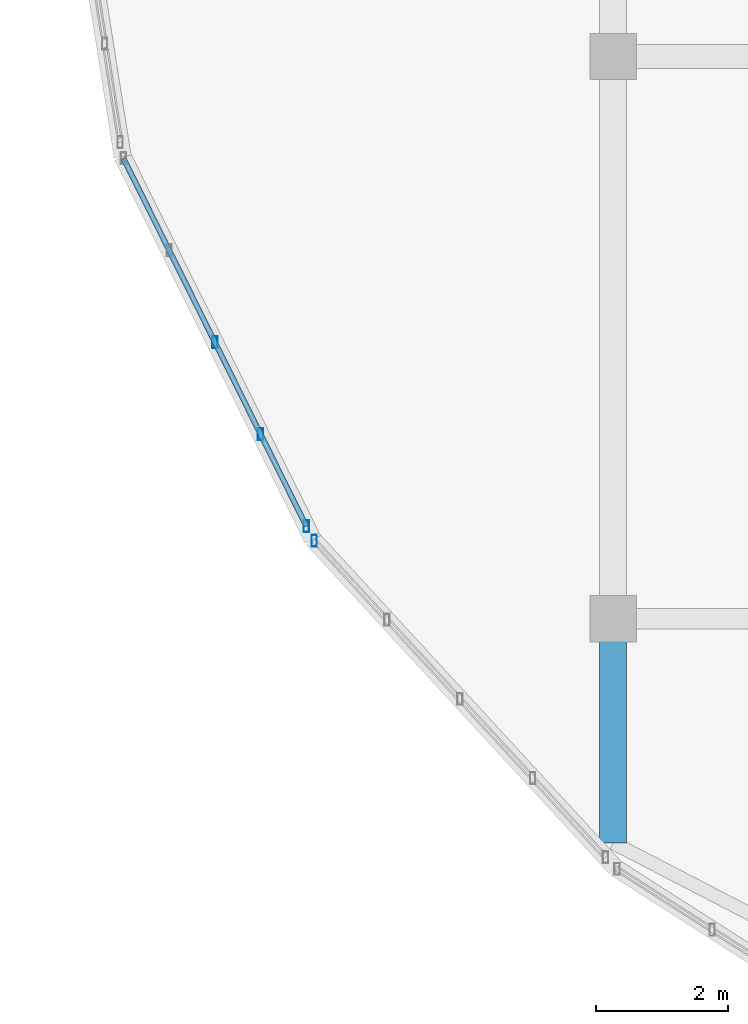
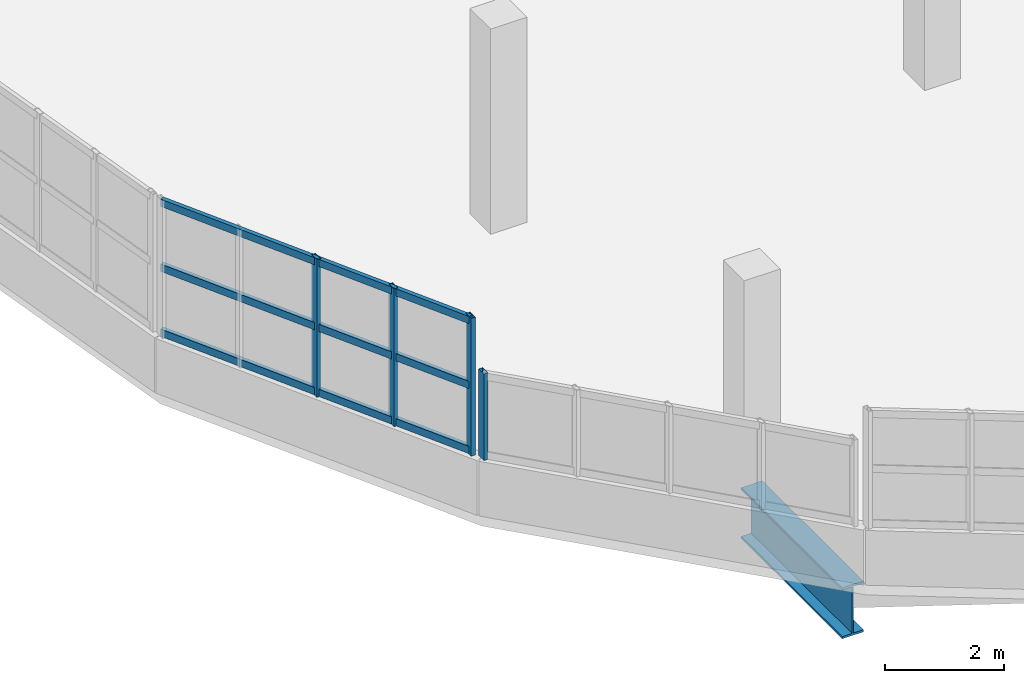
# One storey, part 4 of 52: 7 members, 1 beam, 2 elements without a shape of their own.
"""IFC4 building model written with IfcOpenShell, lengths in metres."""

from ifc_helpers import new_model, si_unit, direction, frame, origin, origin_2d, place, context, subcontext, project, spatial, hollow_rectangle, i_section, extrude, material, material_profile, profile_set, type_object, element, aggregate, save


model = new_model("IFC4")

# Units and contexts
model_context = context("Model", 3, precision=1e-05, world=origin(), true_north=direction((0.0, 1.0)))
body_context = subcontext(model_context, "Body", "Model", "MODEL_VIEW")
ifc_project = project(units=[si_unit("LENGTHUNIT", "METRE"), si_unit("AREAUNIT", "SQUARE_METRE"), si_unit("VOLUMEUNIT", "CUBIC_METRE"), si_unit("PLANEANGLEUNIT", "RADIAN"), si_unit("MASSUNIT", "GRAM", prefix="KILO")], contexts=[model_context])

# Site, building, storey
site_placement = place(None, origin())
site = spatial("IfcSite", under=ifc_project, at=site_placement, CompositionType="ELEMENT")
building_placement = place(site_placement, origin())
building = spatial("IfcBuilding", under=site, at=building_placement, Name="Solvento Point Concert Hall", CompositionType="ELEMENT")
storey_placement = place(building_placement, frame((0.0, 0.0, 19.5)))
storey = spatial("IfcBuildingStorey", under=building, at=storey_placement, Name="L04", CompositionType="ELEMENT", Elevation=19.5)

# Beam
ifc_material_1 = material(Name="Structural Steel ASTM A992 Grade 50", Category="steel")
ifc_material_profile_1 = material_profile(ifc_material_1, i_section(OverallWidth=0.408935546875, OverallDepth=1.041015625, WebThickness=0.031005859375, FlangeThickness=0.04443359375, at=origin_2d()), Name="W40X397")
ifc_profile_set_1 = profile_set([ifc_material_profile_1], Name="Structural Steel ASTM A992 Grade 50")
beam_type = type_object("IfcBeamType", Name="CantileverGirder_W40X397", PredefinedType="USERDEFINED", material=ifc_profile_set_1)
beam_placement = place(storey_placement, frame((40.800048828125, 17.0, -0.8154296875), z_axis=(0.0, -1.0, 0.0), x_axis=(1.0, 0.0, 0.0)))
element("IfcBeam", 1, at=beam_placement, inside=storey, type_object=beam_type, Name="Radial cantilever girder CG-01 L04", ObjectType="GIRDER", PredefinedType="USERDEFINED", context=body_context, shape_type="SweptSolid", body=[
    extrude(i_section(OverallWidth=0.408935546875, OverallDepth=1.041015625, WebThickness=0.031005859375, FlangeThickness=0.04443359375, at=origin_2d()), origin(), (0.0, 0.0, 1.0), 3.39111328125),
])

# Curtain wall, member
ifc_material_2 = material(Name="Anodized Bronze Aluminium", Category="aluminium")
curtain_wall_type = type_object("IfcCurtainWallType", Name="CurtainWall_RingRibbon_L03_04", PredefinedType="USERDEFINED", material=ifc_material_2)
curtain_wall_1_placement = place(storey_placement, origin())
curtain_wall_1 = element("IfcCurtainWall", 2, at=curtain_wall_1_placement, inside=storey, type_object=curtain_wall_type, Name="Unitised curtain wall CW-31 UCW-L04-212", ObjectType="UNITISED CURTAIN WALL", PredefinedType="USERDEFINED")
ifc_material_3 = material(Name="Anodized Bronze Aluminium", Category="aluminium")
ifc_material_profile_2 = material_profile(ifc_material_3, hollow_rectangle(XDim=0.080078125, YDim=0.179931640625, WallThickness=0.00390625, at=origin_2d()), Name="CW-MUL-80X180")
ifc_profile_set_2 = profile_set([ifc_material_profile_2], Name="Anodized Bronze Aluminium")
member_type_1 = type_object("IfcMemberType", Name="Mullion_80x180", PredefinedType="MULLION", material=ifc_profile_set_2)
member_1_placement = place(storey_placement, frame((36.27880859375, 18.177978515625, 1.1201171875), z_axis=(0.0, 0.0, 1.0), x_axis=(1.0, 0.0, 0.0)))
member_1 = element("IfcMember", 3, at=member_1_placement, type_object=member_type_1, Name="Curtain wall mullion ML-01", PredefinedType="MULLION", context=body_context, shape_type="SweptSolid", body=[
    extrude(hollow_rectangle(XDim=0.080078125, YDim=0.179931640625, WallThickness=0.00390625, at=origin_2d()), origin(), (0.0, 0.0, 1.0), 1.77197265625),
])
aggregate(curtain_wall_1, [member_1])

# Curtain wall, members
curtain_wall_2_placement = place(storey_placement, origin())
curtain_wall_2 = element("IfcCurtainWall", 4, at=curtain_wall_2_placement, inside=storey, type_object=curtain_wall_type, Name="Unitised curtain wall CW-31 UCW-L04-213", ObjectType="UNITISED CURTAIN WALL", PredefinedType="USERDEFINED")
member_2_placement = place(storey_placement, frame((36.16064453125, 18.39697265625, 1.1201171875), z_axis=(0.0, 0.0, 1.0), x_axis=(1.0, 0.0, 0.0)))
member_2 = element("IfcMember", 5, at=member_2_placement, type_object=member_type_1, Name="Curtain wall mullion ML-01", PredefinedType="MULLION", context=body_context, shape_type="SweptSolid", body=[
    extrude(hollow_rectangle(XDim=0.080078125, YDim=0.179931640625, WallThickness=0.00390625, at=origin_2d()), origin(), (0.0, 0.0, 1.0), 2.81982421875),
])
member_3_placement = place(storey_placement, frame((35.468994140625, 19.7880859375, 1.1201171875), z_axis=(0.0, 0.0, 1.0), x_axis=(1.0, 0.0, 0.0)))
member_3 = element("IfcMember", 6, at=member_3_placement, type_object=member_type_1, Name="Curtain wall mullion ML-01", PredefinedType="MULLION", context=body_context, shape_type="SweptSolid", body=[
    extrude(hollow_rectangle(XDim=0.080078125, YDim=0.179931640625, WallThickness=0.00390625, at=origin_2d()), origin(), (0.0, 0.0, 1.0), 2.81982421875),
])
member_4_placement = place(storey_placement, frame((34.777587890625, 21.17919921875, 1.1201171875), z_axis=(0.0, 0.0, 1.0), x_axis=(1.0, 0.0, 0.0)))
member_4 = element("IfcMember", 7, at=member_4_placement, type_object=member_type_1, Name="Curtain wall mullion ML-01", PredefinedType="MULLION", context=body_context, shape_type="SweptSolid", body=[
    extrude(hollow_rectangle(XDim=0.080078125, YDim=0.179931640625, WallThickness=0.00390625, at=origin_2d()), origin(), (0.0, 0.0, 1.0), 2.81982421875),
])
ifc_material_4 = material(Name="Anodized Bronze Aluminium", Category="aluminium")
ifc_material_profile_3 = material_profile(ifc_material_4, hollow_rectangle(XDim=0.080078125, YDim=0.14990234375, WallThickness=0.00390625, at=origin_2d()), Name="CW-TRN-80X150")
ifc_profile_set_3 = profile_set([ifc_material_profile_3], Name="Anodized Bronze Aluminium")
member_type_2 = type_object("IfcMemberType", Name="Transom_80x150", PredefinedType="USERDEFINED", material=ifc_profile_set_3)
member_5_placement = place(storey_placement, frame((36.16064453125, 18.39697265625, 1.199951171875), z_axis=(-0.445106459014, 0.895477660327, 0.0), x_axis=(-0.895477660327, -0.445106459014, 0.0)))
member_5 = element("IfcMember", 8, at=member_5_placement, type_object=member_type_2, Name="Curtain wall transom TR-01", ObjectType="TRANSOM", PredefinedType="USERDEFINED", context=body_context, shape_type="SweptSolid", body=[
    extrude(hollow_rectangle(XDim=0.080078125, YDim=0.14990234375, WallThickness=0.00390625, at=origin_2d()), origin(), (0.0, 0.0, 1.0), 6.2138671875),
])
member_6_placement = place(storey_placement, frame((36.16064453125, 18.39697265625, 2.530029296875), z_axis=(-0.445106459014, 0.895477660327, 0.0), x_axis=(-0.895477660327, -0.445106459014, 0.0)))
member_6 = element("IfcMember", 9, at=member_6_placement, type_object=member_type_2, Name="Curtain wall transom TR-01", ObjectType="TRANSOM", PredefinedType="USERDEFINED", context=body_context, shape_type="SweptSolid", body=[
    extrude(hollow_rectangle(XDim=0.080078125, YDim=0.14990234375, WallThickness=0.00390625, at=origin_2d()), origin(), (0.0, 0.0, 1.0), 6.2138671875),
])
member_7_placement = place(storey_placement, frame((36.16064453125, 18.39697265625, 3.860107421875), z_axis=(-0.445106459014, 0.895477660327, 0.0), x_axis=(-0.895477660327, -0.445106459014, 0.0)))
member_7 = element("IfcMember", 10, at=member_7_placement, type_object=member_type_2, Name="Curtain wall transom TR-01", ObjectType="TRANSOM", PredefinedType="USERDEFINED", context=body_context, shape_type="SweptSolid", body=[
    extrude(hollow_rectangle(XDim=0.080078125, YDim=0.14990234375, WallThickness=0.00390625, at=origin_2d()), origin(), (0.0, 0.0, 1.0), 6.2138671875),
])
aggregate(curtain_wall_2, [member_2, member_3, member_4, member_5, member_6, member_7])

save(model, "model.ifc")
